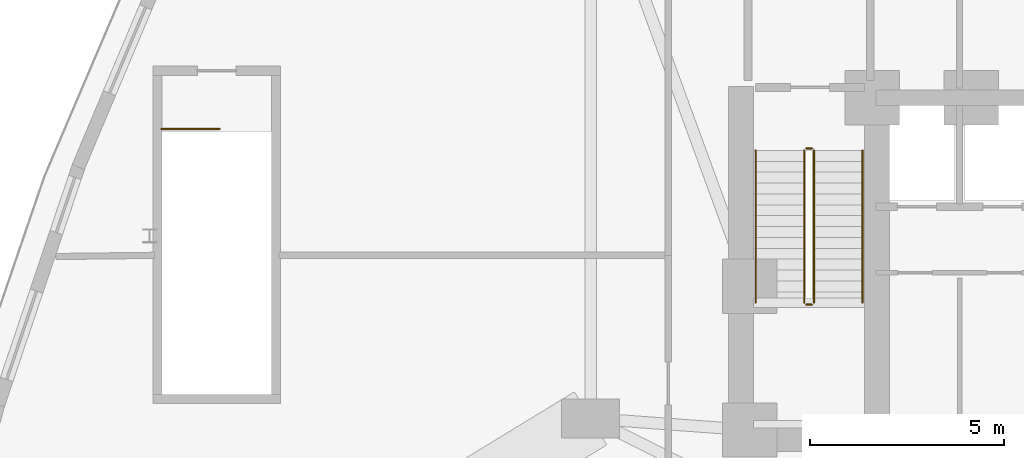
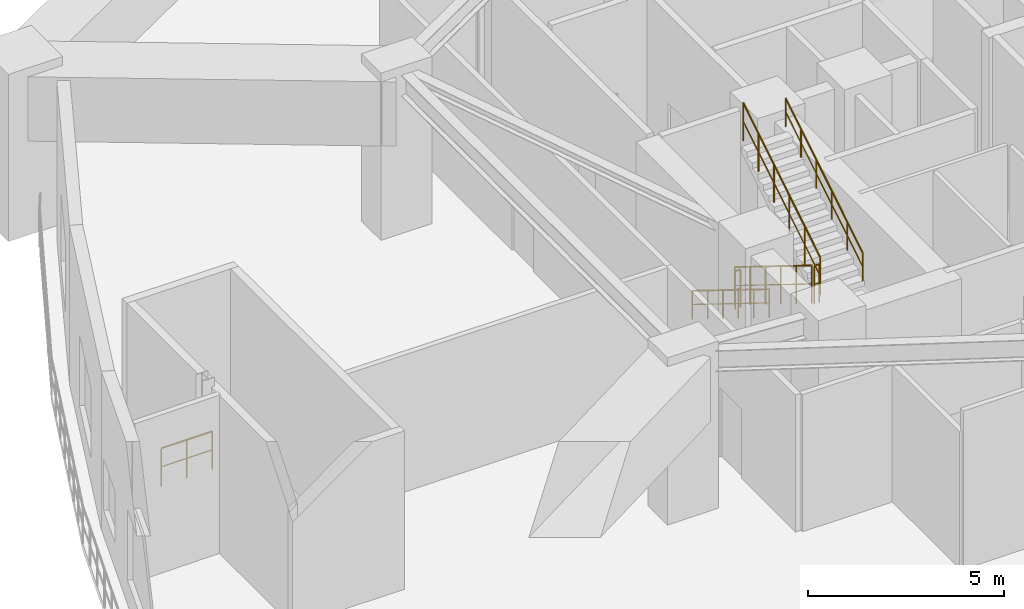
# One storey, part 16 of 19: 7 railings.
"""IFC4 building model written with IfcOpenShell, lengths in metres."""

from ifc_helpers import new_model, si_unit, direction, frame, origin, origin_2d, place, context, subcontext, project, spatial, circle, extrude, material, type_object, element, save


model = new_model("IFC4")

# Units and contexts
model_context = context("Model", 3, precision=1e-05, world=origin(), true_north=direction((0.0, 1.0)))
body_context = subcontext(model_context, "Body", "Model", "MODEL_VIEW")
ifc_project = project(units=[si_unit("LENGTHUNIT", "METRE"), si_unit("AREAUNIT", "SQUARE_METRE"), si_unit("VOLUMEUNIT", "CUBIC_METRE"), si_unit("PLANEANGLEUNIT", "RADIAN"), si_unit("MASSUNIT", "GRAM", prefix="KILO")], contexts=[model_context])

# Site, building, storey
site_placement = place(None, origin())
site = spatial("IfcSite", under=ifc_project, at=site_placement, CompositionType="ELEMENT")
building_placement = place(site_placement, origin())
building = spatial("IfcBuilding", under=site, at=building_placement, Name="Miruveldt Soraemaru", CompositionType="ELEMENT")
storey_placement = place(building_placement, frame((0.0, 0.0, 24.0)))
storey = spatial("IfcBuildingStorey", under=building, at=storey_placement, Name="L06", CompositionType="ELEMENT", Elevation=24.0)

# Railings
ifc_material = material(Name="Steel S355 (355 MPa)", Category="steel")
railing_type_1 = type_object("IfcRailingType", Name="RAIL-HR-900", PredefinedType="HANDRAIL", material=ifc_material)
railing_1_placement = place(storey_placement, frame((35.64990234375, 42.699951171875, 0.17333984375)))
element("IfcRailing", 1, at=railing_1_placement, inside=storey, type_object=railing_type_1, Name="L06 ST-1 stair handrail 1", PredefinedType="HANDRAIL", context=body_context, shape_type="SweptSolid", body=[
    extrude(circle(Radius=0.02392578125, at=origin_2d()), frame((0.0, 0.0, 0.8759765625), z_axis=(0.0, -0.850251603719, 0.526376491091), x_axis=(1.0, 0.0, 0.0)), (0.0, 0.0, 1.0), 4.6103515625),
    extrude(circle(Radius=0.01611328125, at=origin_2d()), frame((0.0, 0.0, 0.449951171875), z_axis=(0.0, -0.850251603719, 0.526376491091), x_axis=(1.0, 0.0, 0.0)), (0.0, 0.0, 1.0), 4.6103515625),
    extrude(circle(Radius=0.02099609375, at=origin_2d()), origin(), (0.0, 0.0, 1.0), 0.851806640625),
    extrude(circle(Radius=0.02099609375, at=origin_2d()), frame((0.0, -0.783935546875, 0.4853515625)), (0.0, 0.0, 1.0), 0.851806640625),
    extrude(circle(Radius=0.02099609375, at=origin_2d()), frame((0.0, -1.56787109375, 0.970703125)), (0.0, 0.0, 1.0), 0.851806640625),
    extrude(circle(Radius=0.02099609375, at=origin_2d()), frame((0.0, -2.35205078125, 1.4560546875)), (0.0, 0.0, 1.0), 0.851806640625),
    extrude(circle(Radius=0.02099609375, at=origin_2d()), frame((0.0, -3.135986328125, 1.94140625)), (0.0, 0.0, 1.0), 0.851806640625),
    extrude(circle(Radius=0.02099609375, at=origin_2d()), frame((0.0, -3.919921875, 2.4267578125)), (0.0, 0.0, 1.0), 0.851806640625),
])
railing_2_placement = place(storey_placement, frame((38.39990234375, 38.780029296875, 2.7734375)))
element("IfcRailing", 2, at=railing_2_placement, inside=storey, type_object=railing_type_1, Name="L06 ST-1 stair handrail 2", PredefinedType="HANDRAIL", context=body_context, shape_type="SweptSolid", body=[
    extrude(circle(Radius=0.02392578125, at=origin_2d()), frame((0.0, 0.0, 0.8759765625), z_axis=(0.0, 0.850275303828, 0.526338206574), x_axis=(-1.0, 0.0, 0.0)), (0.0, 0.0, 1.0), 4.610107421875),
    extrude(circle(Radius=0.01611328125, at=origin_2d()), frame((0.0, 0.0, 0.449951171875), z_axis=(0.0, 0.850275303828, 0.526338206574), x_axis=(-1.0, 0.0, 0.0)), (0.0, 0.0, 1.0), 4.610107421875),
    extrude(circle(Radius=0.02099609375, at=origin_2d()), origin(), (0.0, 0.0, 1.0), 0.851806640625),
    extrude(circle(Radius=0.02099609375, at=origin_2d()), frame((0.0, 0.783935546875, 0.4853515625)), (0.0, 0.0, 1.0), 0.851806640625),
    extrude(circle(Radius=0.02099609375, at=origin_2d()), frame((0.0, 1.56787109375, 0.970703125)), (0.0, 0.0, 1.0), 0.851806640625),
    extrude(circle(Radius=0.02099609375, at=origin_2d()), frame((0.0, 2.35205078125, 1.455810546875)), (0.0, 0.0, 1.0), 0.851806640625),
    extrude(circle(Radius=0.02099609375, at=origin_2d()), frame((0.0, 3.135986328125, 1.941162109375)), (0.0, 0.0, 1.0), 0.851806640625),
    extrude(circle(Radius=0.02099609375, at=origin_2d()), frame((0.0, 3.919921875, 2.426513671875)), (0.0, 0.0, 1.0), 0.851806640625),
])
railing_type_2 = type_object("IfcRailingType", Name="RAIL-STGUARD-1200", PredefinedType="GUARDRAIL", material=ifc_material)
railing_3_placement = place(storey_placement, frame((36.89990234375, 42.699951171875, 0.17333984375)))
element("IfcRailing", 3, at=railing_3_placement, inside=storey, type_object=railing_type_2, Name="L06 ST-1 stair guard 1", PredefinedType="GUARDRAIL", context=body_context, shape_type="SweptSolid", body=[
    extrude(circle(Radius=0.02392578125, at=origin_2d()), frame((0.0, 0.0, 1.17578125), z_axis=(0.0, -0.850251603719, 0.526376491091), x_axis=(1.0, 0.0, 0.0)), (0.0, 0.0, 1.0), 4.6103515625),
    extrude(circle(Radius=0.01611328125, at=origin_2d()), frame((0.0, 0.0, 0.60009765625), z_axis=(0.0, -0.850251603719, 0.526376491091), x_axis=(1.0, 0.0, 0.0)), (0.0, 0.0, 1.0), 4.6103515625),
    extrude(circle(Radius=0.02099609375, at=origin_2d()), origin(), (0.0, 0.0, 1.0), 1.15185546875),
    extrude(circle(Radius=0.02099609375, at=origin_2d()), frame((0.0, -0.783935546875, 0.4853515625)), (0.0, 0.0, 1.0), 1.15185546875),
    extrude(circle(Radius=0.02099609375, at=origin_2d()), frame((0.0, -1.56787109375, 0.970703125)), (0.0, 0.0, 1.0), 1.15185546875),
    extrude(circle(Radius=0.02099609375, at=origin_2d()), frame((0.0, -2.35205078125, 1.4560546875)), (0.0, 0.0, 1.0), 1.15185546875),
    extrude(circle(Radius=0.02099609375, at=origin_2d()), frame((0.0, -3.135986328125, 1.94140625)), (0.0, 0.0, 1.0), 1.15185546875),
    extrude(circle(Radius=0.02099609375, at=origin_2d()), frame((0.0, -3.919921875, 2.4267578125)), (0.0, 0.0, 1.0), 1.15185546875),
])
railing_4_placement = place(storey_placement, frame((36.949951171875, 38.72998046875, 2.60009765625)))
element("IfcRailing", 4, at=railing_4_placement, inside=storey, type_object=railing_type_2, Name="L06 ST-1 stair guard 2", PredefinedType="GUARDRAIL", context=body_context, shape_type="SweptSolid", body=[
    extrude(circle(Radius=0.02392578125, at=origin_2d()), frame((0.0, 0.0, 1.17578125), z_axis=(1.0, 0.0, 0.0), x_axis=(0.0, 1.0, 0.0)), (0.0, 0.0, 1.0), 0.150146484375),
    extrude(circle(Radius=0.01611328125, at=origin_2d()), frame((0.0, 0.0, 0.60009765625), z_axis=(1.0, 0.0, 0.0), x_axis=(0.0, 1.0, 0.0)), (0.0, 0.0, 1.0), 0.150146484375),
    extrude(circle(Radius=0.02099609375, at=origin_2d()), origin(), (0.0, 0.0, 1.0), 1.15185546875),
    extrude(circle(Radius=0.02099609375, at=origin_2d()), frame((0.150146484375, 0.0, 0.0)), (0.0, 0.0, 1.0), 1.15185546875),
])
railing_5_placement = place(storey_placement, frame((37.14990234375, 38.780029296875, 2.7734375)))
element("IfcRailing", 5, at=railing_5_placement, inside=storey, type_object=railing_type_2, Name="L06 ST-1 stair guard 3", PredefinedType="GUARDRAIL", context=body_context, shape_type="SweptSolid", body=[
    extrude(circle(Radius=0.02392578125, at=origin_2d()), frame((0.0, 0.0, 1.17578125), z_axis=(0.0, 0.850275303828, 0.526338206574), x_axis=(-1.0, 0.0, 0.0)), (0.0, 0.0, 1.0), 4.610107421875),
    extrude(circle(Radius=0.01611328125, at=origin_2d()), frame((0.0, 0.0, 0.60009765625), z_axis=(0.0, 0.850275303828, 0.526338206574), x_axis=(-1.0, 0.0, 0.0)), (0.0, 0.0, 1.0), 4.610107421875),
    extrude(circle(Radius=0.02099609375, at=origin_2d()), origin(), (0.0, 0.0, 1.0), 1.15185546875),
    extrude(circle(Radius=0.02099609375, at=origin_2d()), frame((0.0, 0.783935546875, 0.4853515625)), (0.0, 0.0, 1.0), 1.15185546875),
    extrude(circle(Radius=0.02099609375, at=origin_2d()), frame((0.0, 1.56787109375, 0.970703125)), (0.0, 0.0, 1.0), 1.15185546875),
    extrude(circle(Radius=0.02099609375, at=origin_2d()), frame((0.0, 2.35205078125, 1.455810546875)), (0.0, 0.0, 1.0), 1.15185546875),
    extrude(circle(Radius=0.02099609375, at=origin_2d()), frame((0.0, 3.135986328125, 1.941162109375)), (0.0, 0.0, 1.0), 1.15185546875),
    extrude(circle(Radius=0.02099609375, at=origin_2d()), frame((0.0, 3.919921875, 2.426513671875)), (0.0, 0.0, 1.0), 1.15185546875),
])
railing_6_placement = place(storey_placement, frame((36.949951171875, 42.75, 0.0)))
element("IfcRailing", 6, at=railing_6_placement, inside=storey, type_object=railing_type_2, Name="L06 ST-1 stair guard 4", PredefinedType="GUARDRAIL", context=body_context, shape_type="SweptSolid", body=[
    extrude(circle(Radius=0.02392578125, at=origin_2d()), frame((0.0, 0.0, 1.17578125), z_axis=(1.0, 0.0, 0.0), x_axis=(0.0, 1.0, 0.0)), (0.0, 0.0, 1.0), 0.150146484375),
    extrude(circle(Radius=0.01611328125, at=origin_2d()), frame((0.0, 0.0, 0.60009765625), z_axis=(1.0, 0.0, 0.0), x_axis=(0.0, 1.0, 0.0)), (0.0, 0.0, 1.0), 0.150146484375),
    extrude(circle(Radius=0.02099609375, at=origin_2d()), origin(), (0.0, 0.0, 1.0), 1.15185546875),
    extrude(circle(Radius=0.02099609375, at=origin_2d()), frame((0.150146484375, 0.0, 0.0)), (0.0, 0.0, 1.0), 1.15185546875),
])
railing_7_placement = place(storey_placement, frame((20.35009765625, 43.25, 0.0)))
element("IfcRailing", 7, at=railing_7_placement, inside=storey, type_object=railing_type_2, Name="L06 ST-3 top well guard 1", PredefinedType="GUARDRAIL", context=body_context, shape_type="SweptSolid", body=[
    extrude(circle(Radius=0.02392578125, at=origin_2d()), frame((0.0, 0.0, 1.17578125), z_axis=(1.0, 0.0, 0.0), x_axis=(0.0, 1.0, 0.0)), (0.0, 0.0, 1.0), 1.5),
    extrude(circle(Radius=0.01611328125, at=origin_2d()), frame((0.0, 0.0, 0.60009765625), z_axis=(1.0, 0.0, 0.0), x_axis=(0.0, 1.0, 0.0)), (0.0, 0.0, 1.0), 1.5),
    extrude(circle(Radius=0.02099609375, at=origin_2d()), origin(), (0.0, 0.0, 1.0), 1.15185546875),
    extrude(circle(Radius=0.02099609375, at=origin_2d()), frame((0.75, 0.0, 0.0)), (0.0, 0.0, 1.0), 1.15185546875),
    extrude(circle(Radius=0.02099609375, at=origin_2d()), frame((1.5, 0.0, 0.0)), (0.0, 0.0, 1.0), 1.15185546875),
])

save(model, "model.ifc")
